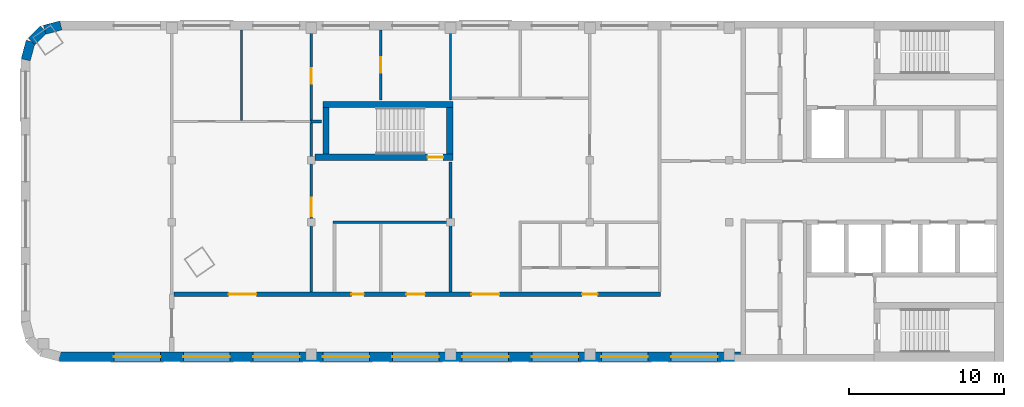
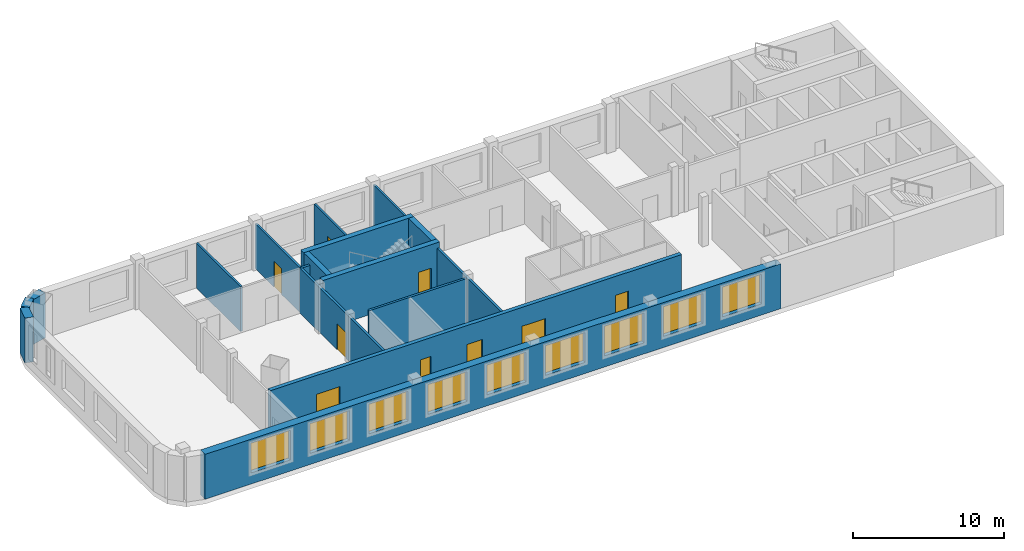
# One storey, part 2 of 6: 17 walls, 9 doors, 9 windows, 18 openings.
"""IFC4 building model written with IfcOpenShell, lengths in metres."""

from ifc_helpers import new_model, si_unit, direction, frame, frame_2d, origin, place, context, subcontext, project, spatial, rectangle, extrude, material, layer, layer_set, type_object, element, fill, save


model = new_model("IFC4")

# Units and contexts
model_context = context("Model", 3, precision=1e-05, world=origin(), true_north=direction((0.0, 1.0)))
body_context = subcontext(model_context, "Body", "Model", "MODEL_VIEW")
ifc_project = project(units=[si_unit("LENGTHUNIT", "METRE"), si_unit("AREAUNIT", "SQUARE_METRE"), si_unit("VOLUMEUNIT", "CUBIC_METRE"), si_unit("PLANEANGLEUNIT", "RADIAN"), si_unit("MASSUNIT", "GRAM", prefix="KILO")], contexts=[model_context])

# Site, building, storey
site_placement = place(None, origin())
site = spatial("IfcSite", under=ifc_project, at=site_placement, CompositionType="ELEMENT")
building_placement = place(site_placement, origin())
building = spatial("IfcBuilding", under=site, at=building_placement, Name="Skarvind Civic Tower", CompositionType="ELEMENT")
storey_placement = place(building_placement, frame((0.0, 0.0, 249.5)))
storey = spatial("IfcBuildingStorey", under=building, at=storey_placement, Name="L59", CompositionType="ELEMENT", Elevation=249.5)

# Wall, opening, door
ifc_material_1 = material(Name="Acoustic gypsum board on steel studs", Category="steel")
ifc_layer_1 = layer(ifc_material_1, 0.175048828125)
ifc_layer_set_1 = layer_set([ifc_layer_1], Name="ACOUSTIC MEETING-ROOM PARTITION 175")
wall_type_1 = type_object("IfcWallType", Name="ACOUSTIC MEETING-ROOM PARTITION 175", PredefinedType="PARTITIONING", material=ifc_layer_set_1)
wall_1_placement = place(storey_placement, frame((63.25, 132.5, 0.0), z_axis=(0.0, 0.0, 1.0), x_axis=(0.0, -1.0, 0.0)))
wall_1 = element("IfcWall", 1, at=wall_1_placement, inside=storey, type_object=wall_type_1, Name="Partition 59.006", PredefinedType="PARTITIONING", context=body_context, shape_type="SweptSolid", body=[
    extrude(rectangle(XDim=11.0, YDim=0.175048828125, at=frame_2d((5.5, 0.0))), origin(), (0.0, 0.0, 1.0), 3.625),
])
opening_1_placement = place(wall_1_placement, frame((4.909912109375, 0.0, 0.0)))
opening_1 = element("IfcOpeningElement", 2, at=opening_1_placement, cuts=wall_1, Name="Opening L59-D018", PredefinedType="OPENING", context=body_context, shape_type="SweptSolid", body=[
    extrude(rectangle(XDim=1.199951171875, YDim=2.10009765625, at=frame_2d((0.60009765625, 1.050048828125))), frame((0.0, 0.097412109375, 0.0), z_axis=(0.0, -1.0, 0.0), x_axis=(1.0, 0.0, 0.0)), (0.0, 0.0, 1.0), 0.195068359375),
])
ifc_material_2 = material(Name="Timber door leaf", Category="wood")
door_type_1 = type_object("IfcDoorType", Name="DOOR 1200X2100 DOUBLE TIMBER", OperationType="NOTDEFINED", PredefinedType="DOOR", material=ifc_material_2)
door_1_placement = place(opening_1_placement, origin())
door_1 = element("IfcDoor", 3, at=door_1_placement, inside=storey, type_object=door_type_1, Name="Door L59-D018", OperationType="DOUBLE_DOOR_SINGLE_SWING", OverallHeight=2.10009765625, OverallWidth=1.199951171875, PredefinedType="DOOR", context=body_context, shape_type="SweptSolid", body=[
    extrude(rectangle(XDim=1.199951171875, YDim=2.10009765625, at=frame_2d((0.60009765625, 1.050048828125))), frame((0.0, 0.02490234375, 0.0), z_axis=(0.0, -1.0, 0.0), x_axis=(1.0, 0.0, 0.0)), (0.0, 0.0, 1.0), 0.050048828125),
])
fill(opening_1, door_1)

# Walls
wall_2_placement = place(storey_placement, frame((63.89990234375, 132.5, 0.0), z_axis=(0.0, 0.0, 1.0), x_axis=(-1.0, 0.0, 0.0)))
element("IfcWall", 4, at=wall_2_placement, inside=storey, type_object=wall_type_1, Name="Partition 59.008", PredefinedType="PARTITIONING", context=body_context, shape_type="SweptSolid", body=[
    extrude(rectangle(XDim=0.64990234375, YDim=0.175048828125, at=frame_2d((0.324951171875, 0.0))), origin(), (0.0, 0.0, 1.0), 3.625),
])
wall_3_placement = place(storey_placement, frame((64.662109375, 126.0, 0.0), z_axis=(0.0, 0.0, 1.0), x_axis=(1.0, 0.0, 0.0)))
element("IfcWall", 5, at=wall_3_placement, inside=storey, type_object=wall_type_1, Name="Partition 59.010", PredefinedType="PARTITIONING", context=body_context, shape_type="SweptSolid", body=[
    extrude(rectangle(XDim=7.5, YDim=0.175048828125, at=frame_2d((3.75, 0.0))), origin(), (0.0, 0.0, 1.0), 3.625),
])
wall_4_placement = place(storey_placement, frame((72.25, 121.5, 0.0), z_axis=(0.0, 0.0, 1.0), x_axis=(0.0, 1.0, 0.0)))
element("IfcWall", 6, at=wall_4_placement, inside=storey, type_object=wall_type_1, Name="Partition 59.013", PredefinedType="PARTITIONING", context=body_context, shape_type="SweptSolid", body=[
    extrude(rectangle(XDim=8.39990234375, YDim=0.175048828125, at=frame_2d((4.199951171875, 0.0))), origin(), (0.0, 0.0, 1.0), 3.625),
])

# Wall, openings, doors
ifc_material_3 = material(Name="Fire-rated gypsum board on steel studs", Category="steel")
ifc_layer_2 = layer(ifc_material_3, 0.300048828125)
ifc_layer_set_2 = layer_set([ifc_layer_2], Name="CORRIDOR WALL 300")
wall_type_2 = type_object("IfcWallType", Name="CORRIDOR WALL 300", PredefinedType="PARTITIONING", material=ifc_layer_set_2)
wall_5_placement = place(storey_placement, frame((54.39990234375, 121.35009765625, 0.0), z_axis=(0.0, 0.0, 1.0), x_axis=(1.0, 0.0, 0.0)))
wall_5 = element("IfcWall", 7, at=wall_5_placement, inside=storey, type_object=wall_type_2, Name="Partition 59.003", PredefinedType="PARTITIONING", context=body_context, shape_type="SweptSolid", body=[
    extrude(rectangle(XDim=31.412109375, YDim=0.300048828125, at=frame_2d((15.7060546875, 0.0))), origin(), (0.0, 0.0, 1.0), 3.625),
])
opening_2_placement = place(wall_5_placement, frame((26.35009765625, 0.0, 0.0)))
opening_2 = element("IfcOpeningElement", 8, at=opening_2_placement, cuts=wall_5, Name="Opening L59-D002", PredefinedType="OPENING", context=body_context, shape_type="SweptSolid", body=[
    extrude(rectangle(XDim=1.0, YDim=2.10009765625, at=frame_2d((0.5, 1.050048828125))), frame((0.0, 0.159912109375, 0.0), z_axis=(0.0, -1.0, 0.0), x_axis=(1.0, 0.0, 0.0)), (0.0, 0.0, 1.0), 0.320068359375),
])
opening_3_placement = place(wall_5_placement, frame((19.199951171875, 0.0, 0.0)))
opening_3 = element("IfcOpeningElement", 9, at=opening_3_placement, cuts=wall_5, Name="Opening L59-D008", PredefinedType="OPENING", context=body_context, shape_type="SweptSolid", body=[
    extrude(rectangle(XDim=1.800048828125, YDim=2.10009765625, at=frame_2d((0.89990234375, 1.050048828125))), frame((0.0, 0.159912109375, 0.0), z_axis=(0.0, -1.0, 0.0), x_axis=(1.0, 0.0, 0.0)), (0.0, 0.0, 1.0), 0.320068359375),
])
opening_4_placement = place(wall_5_placement, frame((15.0, 0.0, 0.0)))
opening_4 = element("IfcOpeningElement", 10, at=opening_4_placement, cuts=wall_5, Name="Opening L59-D009", PredefinedType="OPENING", context=body_context, shape_type="SweptSolid", body=[
    extrude(rectangle(XDim=1.199951171875, YDim=2.10009765625, at=frame_2d((0.60009765625, 1.050048828125))), frame((0.0, 0.159912109375, 0.0), z_axis=(0.0, -1.0, 0.0), x_axis=(1.0, 0.0, 0.0)), (0.0, 0.0, 1.0), 0.320068359375),
])
opening_5_placement = place(wall_5_placement, frame((11.449951171875, 0.0, 0.0)))
opening_5 = element("IfcOpeningElement", 11, at=opening_5_placement, cuts=wall_5, Name="Opening L59-D010", PredefinedType="OPENING", context=body_context, shape_type="SweptSolid", body=[
    extrude(rectangle(XDim=0.800048828125, YDim=2.10009765625, at=frame_2d((0.39990234375, 1.050048828125))), frame((0.0, 0.159912109375, 0.0), z_axis=(0.0, -1.0, 0.0), x_axis=(1.0, 0.0, 0.0)), (0.0, 0.0, 1.0), 0.320068359375),
])
opening_6_placement = place(wall_5_placement, frame((3.514892578125, 0.0, 0.0)))
opening_6 = element("IfcOpeningElement", 12, at=opening_6_placement, cuts=wall_5, Name="Opening L59-D015", PredefinedType="OPENING", context=body_context, shape_type="SweptSolid", body=[
    extrude(rectangle(XDim=1.800048828125, YDim=2.10009765625, at=frame_2d((0.89990234375, 1.050048828125))), frame((0.0, 0.159912109375, 0.0), z_axis=(0.0, -1.0, 0.0), x_axis=(1.0, 0.0, 0.0)), (0.0, 0.0, 1.0), 0.320068359375),
])
ifc_material_4 = material(Name="Fire-rated timber door leaf", Category="wood")
door_type_2 = type_object("IfcDoorType", Name="FD1 1000x2100", OperationType="NOTDEFINED", PredefinedType="DOOR", material=ifc_material_4)
door_2_placement = place(opening_2_placement, origin())
door_2 = element("IfcDoor", 13, at=door_2_placement, inside=storey, type_object=door_type_2, Name="Door L59-D002", OperationType="SINGLE_SWING_LEFT", OverallHeight=2.10009765625, OverallWidth=1.0, PredefinedType="DOOR", context=body_context, shape_type="SweptSolid", body=[
    extrude(rectangle(XDim=1.0, YDim=2.10009765625, at=frame_2d((0.5, 1.050048828125))), frame((0.0, 0.02490234375, 0.0), z_axis=(0.0, -1.0, 0.0), x_axis=(1.0, 0.0, 0.0)), (0.0, 0.0, 1.0), 0.050048828125),
])
fill(opening_2, door_2)
door_type_3 = type_object("IfcDoorType", Name="FD4 1800x2100", OperationType="NOTDEFINED", PredefinedType="DOOR", material=ifc_material_4)
door_3_placement = place(opening_3_placement, origin())
door_3 = element("IfcDoor", 14, at=door_3_placement, inside=storey, type_object=door_type_3, Name="Door L59-D008", OperationType="DOUBLE_DOOR_SINGLE_SWING", OverallHeight=2.10009765625, OverallWidth=1.800048828125, PredefinedType="DOOR", context=body_context, shape_type="SweptSolid", body=[
    extrude(rectangle(XDim=1.800048828125, YDim=2.10009765625, at=frame_2d((0.89990234375, 1.050048828125))), frame((0.0, 0.02490234375, 0.0), z_axis=(0.0, -1.0, 0.0), x_axis=(1.0, 0.0, 0.0)), (0.0, 0.0, 1.0), 0.050048828125),
])
fill(opening_3, door_3)
door_4_placement = place(opening_6_placement, origin())
door_4 = element("IfcDoor", 15, at=door_4_placement, inside=storey, type_object=door_type_3, Name="Door L59-D015", OperationType="DOUBLE_DOOR_SINGLE_SWING", OverallHeight=2.10009765625, OverallWidth=1.800048828125, PredefinedType="DOOR", context=body_context, shape_type="SweptSolid", body=[
    extrude(rectangle(XDim=1.800048828125, YDim=2.10009765625, at=frame_2d((0.89990234375, 1.050048828125))), frame((0.0, 0.02490234375, 0.0), z_axis=(0.0, -1.0, 0.0), x_axis=(1.0, 0.0, 0.0)), (0.0, 0.0, 1.0), 0.050048828125),
])
fill(opening_6, door_4)
door_type_4 = type_object("IfcDoorType", Name="FD5 800x2100", OperationType="NOTDEFINED", PredefinedType="DOOR", material=ifc_material_4)
door_5_placement = place(opening_5_placement, origin())
door_5 = element("IfcDoor", 16, at=door_5_placement, inside=storey, type_object=door_type_4, Name="Door L59-D010", OperationType="SINGLE_SWING_LEFT", OverallHeight=2.10009765625, OverallWidth=0.800048828125, PredefinedType="DOOR", context=body_context, shape_type="SweptSolid", body=[
    extrude(rectangle(XDim=0.800048828125, YDim=2.10009765625, at=frame_2d((0.39990234375, 1.050048828125))), frame((0.0, 0.02490234375, 0.0), z_axis=(0.0, -1.0, 0.0), x_axis=(1.0, 0.0, 0.0)), (0.0, 0.0, 1.0), 0.050048828125),
])
fill(opening_5, door_5)
door_type_5 = type_object("IfcDoorType", Name="FD6 1200x2100 DOUBLE", OperationType="NOTDEFINED", PredefinedType="DOOR", material=ifc_material_4)
door_6_placement = place(opening_4_placement, origin())
door_6 = element("IfcDoor", 17, at=door_6_placement, inside=storey, type_object=door_type_5, Name="Door L59-D009", OperationType="DOUBLE_DOOR_SINGLE_SWING", OverallHeight=2.10009765625, OverallWidth=1.199951171875, PredefinedType="DOOR", context=body_context, shape_type="SweptSolid", body=[
    extrude(rectangle(XDim=1.199951171875, YDim=2.10009765625, at=frame_2d((0.60009765625, 1.050048828125))), frame((0.0, 0.02490234375, 0.0), z_axis=(0.0, -1.0, 0.0), x_axis=(1.0, 0.0, 0.0)), (0.0, 0.0, 1.0), 0.050048828125),
])
fill(opening_4, door_6)

# Wall, opening, door
ifc_material_5 = material(Name="Concrete C60", Category="concrete")
ifc_layer_3 = layer(ifc_material_5, 0.39990234375)
ifc_layer_set_3 = layer_set([ifc_layer_3], Name="Core wall 400 C60")
wall_type_3 = type_object("IfcWallType", Name="Core wall 400 C60", PredefinedType="SHEAR", material=ifc_layer_set_3)
wall_6_placement = place(storey_placement, frame((63.5, 130.199951171875, 0.0), z_axis=(0.0, 0.0, 1.0), x_axis=(1.0, 0.0, 0.0)))
wall_6 = element("IfcWall", 18, at=wall_6_placement, inside=storey, type_object=wall_type_3, Name="Core wall CM inner L59", PredefinedType="SHEAR", context=body_context, shape_type="SweptSolid", body=[
    extrude(rectangle(XDim=8.89990234375, YDim=0.39990234375, at=frame_2d((4.449951171875, 0.0))), origin(), (0.0, 0.0, 1.0), 4.0),
])
opening_7_placement = place(wall_6_placement, frame((7.27490234375, 0.0, 0.0)))
opening_7 = element("IfcOpeningElement", 19, at=opening_7_placement, cuts=wall_6, Name="Opening D-L59-CM-01", PredefinedType="OPENING", context=body_context, shape_type="SweptSolid", body=[
    extrude(rectangle(XDim=1.0, YDim=2.10009765625, at=frame_2d((0.5, 1.050048828125))), frame((0.0, 0.2099609375, 0.0), z_axis=(0.0, -1.0, 0.0), x_axis=(1.0, 0.0, 0.0)), (0.0, 0.0, 1.0), 0.419921875),
])
ifc_material_6 = material(Name="Fire-rated steel door", Category="steel")
door_type_6 = type_object("IfcDoorType", Name="Fire door 1000", OperationType="NOTDEFINED", PredefinedType="DOOR", material=ifc_material_6)
door_7_placement = place(opening_7_placement, origin())
door_7 = element("IfcDoor", 20, at=door_7_placement, inside=storey, type_object=door_type_6, Name="Fire door", OperationType="SINGLE_SWING_LEFT", OverallHeight=2.10009765625, OverallWidth=1.0, PredefinedType="DOOR", context=body_context, shape_type="SweptSolid", body=[
    extrude(rectangle(XDim=1.0, YDim=2.10009765625, at=frame_2d((0.5, 1.050048828125))), frame((0.0, 0.02490234375, 0.0), z_axis=(0.0, -1.0, 0.0), x_axis=(1.0, 0.0, 0.0)), (0.0, 0.0, 1.0), 0.050048828125),
])
fill(opening_7, door_7)

# Walls
wall_7_placement = place(storey_placement, frame((64.0, 133.60009765625, 0.0), z_axis=(0.0, 0.0, 1.0), x_axis=(1.0, 0.0, 0.0)))
element("IfcWall", 21, at=wall_7_placement, inside=storey, type_object=wall_type_3, Name="Core wall CM outer L59", PredefinedType="SHEAR", context=body_context, shape_type="SweptSolid", body=[
    extrude(rectangle(XDim=8.39990234375, YDim=0.39990234375, at=frame_2d((4.199951171875, 0.0))), origin(), (0.0, 0.0, 1.0), 4.0),
])
for number, where, z_axis, x_axis, name in (
    (22, (64.199951171875, 130.39990234375, 0.0), (0.0, 0.0, 1.0), (0.0, 1.0, 0.0), "Core wall CM west L59"),
    (23, (72.199951171875, 130.39990234375, 0.0), (0.0, 0.0, 1.0), (0.0, 1.0, 0.0), "Core wall CM end L59"),
):
    element("IfcWall", number, at=place(storey_placement, frame(where, z_axis=z_axis, x_axis=x_axis)), inside=storey, type_object=wall_type_3, Name=name, PredefinedType="SHEAR", context=body_context, shape_type="SweptSolid", body=[
        extrude(rectangle(XDim=3.0, YDim=0.39990234375, at=frame_2d((1.5, 0.0))), origin(), (0.0, 0.0, 1.0), 4.0),
    ])
ifc_material_7 = material(Name="Plasterboard partition on steel studs", Category="steel")
ifc_layer_4 = layer(ifc_material_7, 0.14990234375)
ifc_layer_set_4 = layer_set([ifc_layer_4], Name="PARTITION 150")
wall_type_4 = type_object("IfcWallType", Name="PARTITION 150", PredefinedType="PARTITIONING", material=ifc_layer_set_4)
wall_8_placement = place(storey_placement, frame((58.75, 132.574951171875, 0.0), z_axis=(0.0, 0.0, 1.0), x_axis=(0.0, 1.0, 0.0)))
element("IfcWall", 24, at=wall_8_placement, inside=storey, type_object=wall_type_4, Name="Partition 59.005", PredefinedType="PARTITIONING", context=body_context, shape_type="SweptSolid", body=[
    extrude(rectangle(XDim=5.824951171875, YDim=0.14990234375, at=frame_2d((2.91259765625, 0.0))), origin(), (0.0, 0.0, 1.0), 3.625),
])

# Wall, opening, door
wall_9_placement = place(storey_placement, frame((63.25, 132.5, 0.0), z_axis=(0.0, 0.0, 1.0), x_axis=(0.0, 1.0, 0.0)))
wall_9 = element("IfcWall", 25, at=wall_9_placement, inside=storey, type_object=wall_type_4, Name="Partition 59.007", PredefinedType="PARTITIONING", context=body_context, shape_type="SweptSolid", body=[
    extrude(rectangle(XDim=5.89990234375, YDim=0.14990234375, at=frame_2d((2.949951171875, 0.0))), origin(), (0.0, 0.0, 1.0), 3.625),
])
opening_8_placement = place(wall_9_placement, frame((2.449951171875, 0.0, 0.0)))
opening_8 = element("IfcOpeningElement", 26, at=opening_8_placement, cuts=wall_9, Name="Opening L59-D012", PredefinedType="OPENING", context=body_context, shape_type="SweptSolid", body=[
    extrude(rectangle(XDim=1.0, YDim=2.10009765625, at=frame_2d((0.5, 1.050048828125))), frame((0.0, 0.0849609375, 0.0), z_axis=(0.0, -1.0, 0.0), x_axis=(1.0, 0.0, 0.0)), (0.0, 0.0, 1.0), 0.169921875),
])
door_type_7 = type_object("IfcDoorType", Name="D1 1000x2100", OperationType="NOTDEFINED", PredefinedType="DOOR", material=ifc_material_2)
door_8_placement = place(opening_8_placement, origin())
door_8 = element("IfcDoor", 27, at=door_8_placement, inside=storey, type_object=door_type_7, Name="Door L59-D012", OperationType="SINGLE_SWING_LEFT", OverallHeight=2.10009765625, OverallWidth=1.0, PredefinedType="DOOR", context=body_context, shape_type="SweptSolid", body=[
    extrude(rectangle(XDim=1.0, YDim=2.10009765625, at=frame_2d((0.5, 1.050048828125))), frame((0.0, 0.02490234375, 0.0), z_axis=(0.0, -1.0, 0.0), x_axis=(1.0, 0.0, 0.0)), (0.0, 0.0, 1.0), 0.050048828125),
])
fill(opening_8, door_8)

wall_10_placement = place(storey_placement, frame((67.75, 133.89990234375, 0.0), z_axis=(0.0, 0.0, 1.0), x_axis=(0.0, 1.0, 0.0)))
wall_10 = element("IfcWall", 28, at=wall_10_placement, inside=storey, type_object=wall_type_4, Name="Partition 59.012", PredefinedType="PARTITIONING", context=body_context, shape_type="SweptSolid", body=[
    extrude(rectangle(XDim=4.5, YDim=0.14990234375, at=frame_2d((2.25, 0.0))), origin(), (0.0, 0.0, 1.0), 3.625),
])
opening_9_placement = place(wall_10_placement, frame((1.75, 0.0, 0.0)))
opening_9 = element("IfcOpeningElement", 29, at=opening_9_placement, cuts=wall_10, Name="Opening L59-D011", PredefinedType="OPENING", context=body_context, shape_type="SweptSolid", body=[
    extrude(rectangle(XDim=1.0, YDim=2.10009765625, at=frame_2d((0.5, 1.050048828125))), frame((0.0, 0.0849609375, 0.0), z_axis=(0.0, -1.0, 0.0), x_axis=(1.0, 0.0, 0.0)), (0.0, 0.0, 1.0), 0.169921875),
])
door_9_placement = place(opening_9_placement, origin())
door_9 = element("IfcDoor", 30, at=door_9_placement, inside=storey, type_object=door_type_7, Name="Door L59-D011", OperationType="SINGLE_SWING_LEFT", OverallHeight=2.10009765625, OverallWidth=1.0, PredefinedType="DOOR", context=body_context, shape_type="SweptSolid", body=[
    extrude(rectangle(XDim=1.0, YDim=2.10009765625, at=frame_2d((0.5, 1.050048828125))), frame((0.0, 0.02490234375, 0.0), z_axis=(0.0, -1.0, 0.0), x_axis=(1.0, 0.0, 0.0)), (0.0, 0.0, 1.0), 0.050048828125),
])
fill(opening_9, door_9)

# Walls
wall_11_placement = place(storey_placement, frame((72.25, 133.89990234375, 0.0), z_axis=(0.0, 0.0, 1.0), x_axis=(0.0, 1.0, 0.0)))
element("IfcWall", 31, at=wall_11_placement, inside=storey, type_object=wall_type_4, Name="Partition 59.014", PredefinedType="PARTITIONING", context=body_context, shape_type="SweptSolid", body=[
    extrude(rectangle(XDim=4.5, YDim=0.14990234375, at=frame_2d((2.25, 0.0))), origin(), (0.0, 0.0, 1.0), 3.625),
])
ifc_material_8 = material(Name="Standing-seam zinc cladding on insulated backing")
ifc_layer_5 = layer(ifc_material_8, 0.60009765625)
ifc_layer_set_5 = layer_set([ifc_layer_5], Name="WX2 ZINC-CLAD FACADE WALL 600")
wall_type_5 = type_object("IfcWallType", Name="WX2 ZINC-CLAD FACADE WALL 600", PredefinedType="SOLIDWALL", material=ifc_layer_set_5)
wall_12_placement = place(storey_placement, frame((46.030517578125, 138.4296875, 0.0), z_axis=(0.0, 0.0, 1.0), x_axis=(0.965939004864, 0.25876985698, 0.0)))
element("IfcWall", 32, at=wall_12_placement, inside=storey, type_object=wall_type_5, Name="ZINC-CLAD FACADE WALL", PredefinedType="SOLIDWALL", context=body_context, shape_type="SweptSolid", body=[
    extrude(rectangle(XDim=1.083984375, YDim=0.60009765625, at=frame_2d((0.5419921875, 0.0))), origin(), (0.0, 0.0, 1.0), 3.625),
])
wall_13_placement = place(storey_placement, frame((45.195556640625, 137.686279296875, 0.0), z_axis=(0.0, 0.0, 1.0), x_axis=(0.707106781187, 0.707106781187, 0.0)))
element("IfcWall", 33, at=wall_13_placement, inside=storey, type_object=wall_type_5, Name="ZINC-CLAD FACADE WALL", PredefinedType="SOLIDWALL", context=body_context, shape_type="SweptSolid", body=[
    extrude(rectangle(XDim=1.084228515625, YDim=0.60009765625, at=frame_2d((0.5419921875, 0.0))), origin(), (0.0, 0.0, 1.0), 3.625),
])
wall_14_placement = place(storey_placement, frame((44.807861328125, 136.489990234375, 0.0), z_axis=(0.0, 0.0, 1.0), x_axis=(0.258878975098, 0.965909766102, 0.0)))
element("IfcWall", 34, at=wall_14_placement, inside=storey, type_object=wall_type_5, Name="ZINC-CLAD FACADE WALL", PredefinedType="SOLIDWALL", context=body_context, shape_type="SweptSolid", body=[
    extrude(rectangle(XDim=1.22412109375, YDim=0.60009765625, at=frame_2d((0.612060546875, 0.0))), origin(), (0.0, 0.0, 1.0), 3.625),
])

# Wall, openings, windows
wall_15_placement = place(storey_placement, frame((90.97998046875, 117.300048828125, 0.0), z_axis=(0.0, 0.0, 1.0), x_axis=(-1.0, 0.0, 0.0)))
wall_15 = element("IfcWall", 35, at=wall_15_placement, inside=storey, type_object=wall_type_5, Name="ZINC-CLAD FACADE WALL", PredefinedType="SOLIDWALL", context=body_context, shape_type="SweptSolid", body=[
    extrude(rectangle(XDim=43.97998046875, YDim=0.60009765625, at=frame_2d((21.989990234375, 0.0))), origin(), (0.0, 0.0, 1.0), 3.625),
])
opening_10_placement = place(wall_15_placement, frame((1.47998046875, 0.0, 0.89990234375)))
opening_10 = element("IfcOpeningElement", 36, at=opening_10_placement, cuts=wall_15, Name="Opening WN4", PredefinedType="OPENING", context=body_context, shape_type="SweptSolid", body=[
    extrude(rectangle(XDim=3.0, YDim=2.39990234375, at=frame_2d((1.5, 1.199951171875))), frame((0.0, 0.31005859375, 0.0), z_axis=(0.0, -1.0, 0.0), x_axis=(1.0, 0.0, 0.0)), (0.0, 0.0, 1.0), 0.6201171875),
])
opening_11_placement = place(wall_15_placement, frame((5.97998046875, 0.0, 0.89990234375)))
opening_11 = element("IfcOpeningElement", 37, at=opening_11_placement, cuts=wall_15, Name="Opening WN4", PredefinedType="OPENING", context=body_context, shape_type="SweptSolid", body=[
    extrude(rectangle(XDim=3.0, YDim=2.39990234375, at=frame_2d((1.5, 1.199951171875))), frame((0.0, 0.31005859375, 0.0), z_axis=(0.0, -1.0, 0.0), x_axis=(1.0, 0.0, 0.0)), (0.0, 0.0, 1.0), 0.6201171875),
])
opening_12_placement = place(wall_15_placement, frame((10.47998046875, 0.0, 0.89990234375)))
opening_12 = element("IfcOpeningElement", 38, at=opening_12_placement, cuts=wall_15, Name="Opening WN4", PredefinedType="OPENING", context=body_context, shape_type="SweptSolid", body=[
    extrude(rectangle(XDim=3.0, YDim=2.39990234375, at=frame_2d((1.5, 1.199951171875))), frame((0.0, 0.31005859375, 0.0), z_axis=(0.0, -1.0, 0.0), x_axis=(1.0, 0.0, 0.0)), (0.0, 0.0, 1.0), 0.6201171875),
])
opening_13_placement = place(wall_15_placement, frame((14.97998046875, 0.0, 0.89990234375)))
opening_13 = element("IfcOpeningElement", 39, at=opening_13_placement, cuts=wall_15, Name="Opening WN4", PredefinedType="OPENING", context=body_context, shape_type="SweptSolid", body=[
    extrude(rectangle(XDim=3.0, YDim=2.39990234375, at=frame_2d((1.5, 1.199951171875))), frame((0.0, 0.31005859375, 0.0), z_axis=(0.0, -1.0, 0.0), x_axis=(1.0, 0.0, 0.0)), (0.0, 0.0, 1.0), 0.6201171875),
])
opening_14_placement = place(wall_15_placement, frame((19.47998046875, 0.0, 0.89990234375)))
opening_14 = element("IfcOpeningElement", 40, at=opening_14_placement, cuts=wall_15, Name="Opening WN4", PredefinedType="OPENING", context=body_context, shape_type="SweptSolid", body=[
    extrude(rectangle(XDim=3.0, YDim=2.39990234375, at=frame_2d((1.5, 1.199951171875))), frame((0.0, 0.31005859375, 0.0), z_axis=(0.0, -1.0, 0.0), x_axis=(1.0, 0.0, 0.0)), (0.0, 0.0, 1.0), 0.6201171875),
])
opening_15_placement = place(wall_15_placement, frame((23.97998046875, 0.0, 0.89990234375)))
opening_15 = element("IfcOpeningElement", 41, at=opening_15_placement, cuts=wall_15, Name="Opening WN4", PredefinedType="OPENING", context=body_context, shape_type="SweptSolid", body=[
    extrude(rectangle(XDim=3.0, YDim=2.39990234375, at=frame_2d((1.5, 1.199951171875))), frame((0.0, 0.31005859375, 0.0), z_axis=(0.0, -1.0, 0.0), x_axis=(1.0, 0.0, 0.0)), (0.0, 0.0, 1.0), 0.6201171875),
])
opening_16_placement = place(wall_15_placement, frame((28.47998046875, 0.0, 0.89990234375)))
opening_16 = element("IfcOpeningElement", 42, at=opening_16_placement, cuts=wall_15, Name="Opening WN4", PredefinedType="OPENING", context=body_context, shape_type="SweptSolid", body=[
    extrude(rectangle(XDim=3.0, YDim=2.39990234375, at=frame_2d((1.5, 1.199951171875))), frame((0.0, 0.31005859375, 0.0), z_axis=(0.0, -1.0, 0.0), x_axis=(1.0, 0.0, 0.0)), (0.0, 0.0, 1.0), 0.6201171875),
])
opening_17_placement = place(wall_15_placement, frame((32.97998046875, 0.0, 0.89990234375)))
opening_17 = element("IfcOpeningElement", 43, at=opening_17_placement, cuts=wall_15, Name="Opening WN4", PredefinedType="OPENING", context=body_context, shape_type="SweptSolid", body=[
    extrude(rectangle(XDim=3.0, YDim=2.39990234375, at=frame_2d((1.5, 1.199951171875))), frame((0.0, 0.31005859375, 0.0), z_axis=(0.0, -1.0, 0.0), x_axis=(1.0, 0.0, 0.0)), (0.0, 0.0, 1.0), 0.6201171875),
])
opening_18_placement = place(wall_15_placement, frame((37.47998046875, 0.0, 0.89990234375)))
opening_18 = element("IfcOpeningElement", 44, at=opening_18_placement, cuts=wall_15, Name="Opening WN4", PredefinedType="OPENING", context=body_context, shape_type="SweptSolid", body=[
    extrude(rectangle(XDim=3.0, YDim=2.39990234375, at=frame_2d((1.5, 1.199951171875))), frame((0.0, 0.31005859375, 0.0), z_axis=(0.0, -1.0, 0.0), x_axis=(1.0, 0.0, 0.0)), (0.0, 0.0, 1.0), 0.6201171875),
])
ifc_material_9 = material(Name="Timber frame, double glazing, copper-lined reveal", Category="wood")
window_type = type_object("IfcWindowType", Name="WN4 COPPER-LINED WINDOW 3000 x 2400", PartitioningType="SINGLE_PANEL", PredefinedType="WINDOW", material=ifc_material_9)
window_1_placement = place(opening_10_placement, origin())
window_1 = element("IfcWindow", 45, at=window_1_placement, inside=storey, type_object=window_type, Name="WN4 WINDOW", OverallHeight=2.39990234375, OverallWidth=3.0, PartitioningType="SINGLE_PANEL", PredefinedType="WINDOW", context=body_context, shape_type="SweptSolid", body=[
    extrude(rectangle(XDim=3.0, YDim=2.39990234375, at=frame_2d((1.5, 1.199951171875))), frame((0.0, 0.030029296875, 0.0), z_axis=(0.0, -1.0, 0.0), x_axis=(1.0, 0.0, 0.0)), (0.0, 0.0, 1.0), 0.06005859375),
])
fill(opening_10, window_1)
window_2_placement = place(opening_11_placement, origin())
window_2 = element("IfcWindow", 46, at=window_2_placement, inside=storey, type_object=window_type, Name="WN4 WINDOW", OverallHeight=2.39990234375, OverallWidth=3.0, PartitioningType="SINGLE_PANEL", PredefinedType="WINDOW", context=body_context, shape_type="SweptSolid", body=[
    extrude(rectangle(XDim=3.0, YDim=2.39990234375, at=frame_2d((1.5, 1.199951171875))), frame((0.0, 0.030029296875, 0.0), z_axis=(0.0, -1.0, 0.0), x_axis=(1.0, 0.0, 0.0)), (0.0, 0.0, 1.0), 0.06005859375),
])
fill(opening_11, window_2)
window_3_placement = place(opening_12_placement, origin())
window_3 = element("IfcWindow", 47, at=window_3_placement, inside=storey, type_object=window_type, Name="WN4 WINDOW", OverallHeight=2.39990234375, OverallWidth=3.0, PartitioningType="SINGLE_PANEL", PredefinedType="WINDOW", context=body_context, shape_type="SweptSolid", body=[
    extrude(rectangle(XDim=3.0, YDim=2.39990234375, at=frame_2d((1.5, 1.199951171875))), frame((0.0, 0.030029296875, 0.0), z_axis=(0.0, -1.0, 0.0), x_axis=(1.0, 0.0, 0.0)), (0.0, 0.0, 1.0), 0.06005859375),
])
fill(opening_12, window_3)
window_4_placement = place(opening_13_placement, origin())
window_4 = element("IfcWindow", 48, at=window_4_placement, inside=storey, type_object=window_type, Name="WN4 WINDOW", OverallHeight=2.39990234375, OverallWidth=3.0, PartitioningType="SINGLE_PANEL", PredefinedType="WINDOW", context=body_context, shape_type="SweptSolid", body=[
    extrude(rectangle(XDim=3.0, YDim=2.39990234375, at=frame_2d((1.5, 1.199951171875))), frame((0.0, 0.030029296875, 0.0), z_axis=(0.0, -1.0, 0.0), x_axis=(1.0, 0.0, 0.0)), (0.0, 0.0, 1.0), 0.06005859375),
])
fill(opening_13, window_4)
window_5_placement = place(opening_14_placement, origin())
window_5 = element("IfcWindow", 49, at=window_5_placement, inside=storey, type_object=window_type, Name="WN4 WINDOW", OverallHeight=2.39990234375, OverallWidth=3.0, PartitioningType="SINGLE_PANEL", PredefinedType="WINDOW", context=body_context, shape_type="SweptSolid", body=[
    extrude(rectangle(XDim=3.0, YDim=2.39990234375, at=frame_2d((1.5, 1.199951171875))), frame((0.0, 0.030029296875, 0.0), z_axis=(0.0, -1.0, 0.0), x_axis=(1.0, 0.0, 0.0)), (0.0, 0.0, 1.0), 0.06005859375),
])
fill(opening_14, window_5)
window_6_placement = place(opening_15_placement, origin())
window_6 = element("IfcWindow", 50, at=window_6_placement, inside=storey, type_object=window_type, Name="WN4 WINDOW", OverallHeight=2.39990234375, OverallWidth=3.0, PartitioningType="SINGLE_PANEL", PredefinedType="WINDOW", context=body_context, shape_type="SweptSolid", body=[
    extrude(rectangle(XDim=3.0, YDim=2.39990234375, at=frame_2d((1.5, 1.199951171875))), frame((0.0, 0.030029296875, 0.0), z_axis=(0.0, -1.0, 0.0), x_axis=(1.0, 0.0, 0.0)), (0.0, 0.0, 1.0), 0.06005859375),
])
fill(opening_15, window_6)
window_7_placement = place(opening_16_placement, origin())
window_7 = element("IfcWindow", 51, at=window_7_placement, inside=storey, type_object=window_type, Name="WN4 WINDOW", OverallHeight=2.39990234375, OverallWidth=3.0, PartitioningType="SINGLE_PANEL", PredefinedType="WINDOW", context=body_context, shape_type="SweptSolid", body=[
    extrude(rectangle(XDim=3.0, YDim=2.39990234375, at=frame_2d((1.5, 1.199951171875))), frame((0.0, 0.030029296875, 0.0), z_axis=(0.0, -1.0, 0.0), x_axis=(1.0, 0.0, 0.0)), (0.0, 0.0, 1.0), 0.06005859375),
])
fill(opening_16, window_7)
window_8_placement = place(opening_17_placement, origin())
window_8 = element("IfcWindow", 52, at=window_8_placement, inside=storey, type_object=window_type, Name="WN4 WINDOW", OverallHeight=2.39990234375, OverallWidth=3.0, PartitioningType="SINGLE_PANEL", PredefinedType="WINDOW", context=body_context, shape_type="SweptSolid", body=[
    extrude(rectangle(XDim=3.0, YDim=2.39990234375, at=frame_2d((1.5, 1.199951171875))), frame((0.0, 0.030029296875, 0.0), z_axis=(0.0, -1.0, 0.0), x_axis=(1.0, 0.0, 0.0)), (0.0, 0.0, 1.0), 0.06005859375),
])
fill(opening_17, window_8)
window_9_placement = place(opening_18_placement, origin())
window_9 = element("IfcWindow", 53, at=window_9_placement, inside=storey, type_object=window_type, Name="WN4 WINDOW", OverallHeight=2.39990234375, OverallWidth=3.0, PartitioningType="SINGLE_PANEL", PredefinedType="WINDOW", context=body_context, shape_type="SweptSolid", body=[
    extrude(rectangle(XDim=3.0, YDim=2.39990234375, at=frame_2d((1.5, 1.199951171875))), frame((0.0, 0.030029296875, 0.0), z_axis=(0.0, -1.0, 0.0), x_axis=(1.0, 0.0, 0.0)), (0.0, 0.0, 1.0), 0.06005859375),
])
fill(opening_18, window_9)

save(model, "model.ifc")
